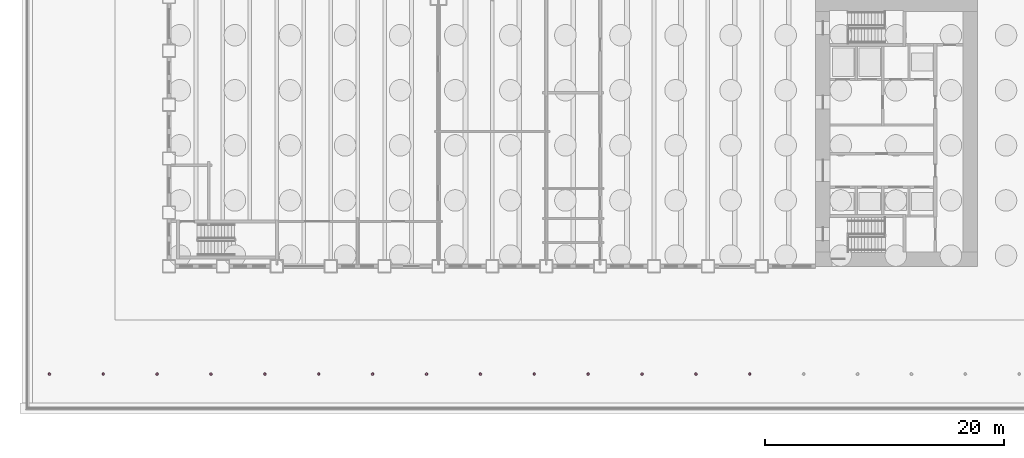
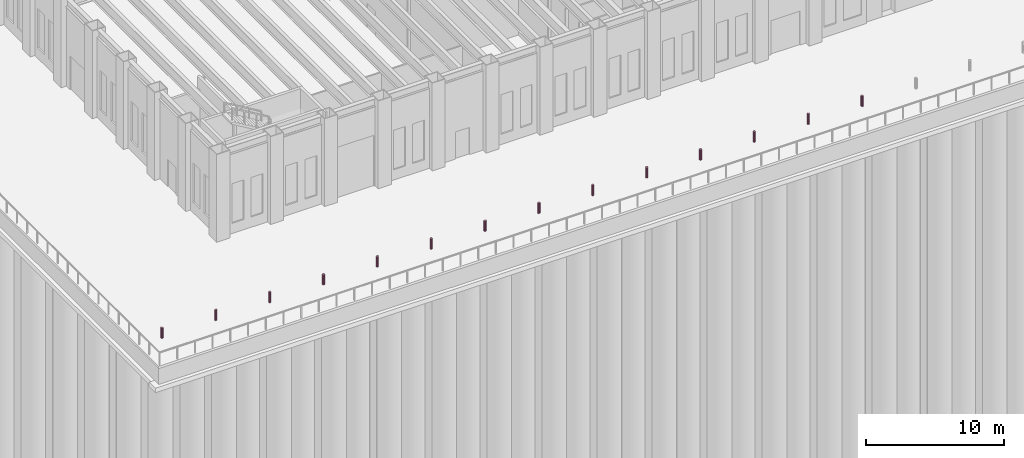
# One storey, part 24 of 26: 14 furniture elements.
"""IFC4 building model written with IfcOpenShell, lengths in metres."""

from ifc_helpers import new_model, si_unit, direction, frame, origin, origin_2d, place, context, subcontext, project, spatial, circle, extrude, material, type_object, element, save


model = new_model("IFC4")

# Units and contexts
model_context = context("Model", 3, precision=1e-05, world=origin(), true_north=direction((0.0, 1.0)))
body_context = subcontext(model_context, "Body", "Model", "MODEL_VIEW")
ifc_project = project(units=[si_unit("LENGTHUNIT", "METRE"), si_unit("AREAUNIT", "SQUARE_METRE"), si_unit("VOLUMEUNIT", "CUBIC_METRE"), si_unit("PLANEANGLEUNIT", "RADIAN"), si_unit("MASSUNIT", "GRAM", prefix="KILO")], contexts=[model_context])

# Site, building, storey
site_placement = place(None, origin())
site = spatial("IfcSite", under=ifc_project, at=site_placement, CompositionType="ELEMENT")
building_placement = place(site_placement, origin())
building = spatial("IfcBuilding", under=site, at=building_placement, Name="Sennacour Bend Tower", CompositionType="ELEMENT")
storey_placement = place(building_placement, origin())
storey = spatial("IfcBuildingStorey", under=building, at=storey_placement, Name="L00", CompositionType="ELEMENT", Elevation=0.0)

# Furniture
ifc_material = material(Name="Stainless steel 316", Category="steel")
furniture_type = type_object("IfcFurnitureType", Name="BL-BOLLARD-200", AssemblyPlace="NOTDEFINED", PredefinedType="USERDEFINED", material=ifc_material)
for number, where, z_axis, x_axis, name in (
    (1, (-10.0, -9.0, 0.89990234375), (0.0, 0.0, -1.0), (1.0, 0.0, 0.0), "Bollard"),
    (2, (-5.5, -9.0, 0.89990234375), (0.0, 0.0, -1.0), (1.0, 0.0, 0.0), "Bollard"),
    (3, (-1.0, -9.0, 0.89990234375), (0.0, 0.0, -1.0), (1.0, 0.0, 0.0), "Bollard"),
    (4, (3.5, -9.0, 0.89990234375), (0.0, 0.0, -1.0), (1.0, 0.0, 0.0), "Bollard"),
    (5, (8.0, -9.0, 0.89990234375), (0.0, 0.0, -1.0), (1.0, 0.0, 0.0), "Bollard"),
    (6, (12.5, -9.0, 0.89990234375), (0.0, 0.0, -1.0), (1.0, 0.0, 0.0), "Bollard"),
    (7, (17.0, -9.0, 0.89990234375), (0.0, 0.0, -1.0), (1.0, 0.0, 0.0), "Bollard"),
    (8, (21.5, -9.0, 0.89990234375), (0.0, 0.0, -1.0), (1.0, 0.0, 0.0), "Bollard"),
    (9, (26.0, -9.0, 0.89990234375), (0.0, 0.0, -1.0), (1.0, 0.0, 0.0), "Bollard"),
    (10, (30.5, -9.0, 0.89990234375), (0.0, 0.0, -1.0), (1.0, 0.0, 0.0), "Bollard"),
    (11, (35.0, -9.0, 0.89990234375), (0.0, 0.0, -1.0), (1.0, 0.0, 0.0), "Bollard"),
    (12, (39.5, -9.0, 0.89990234375), (0.0, 0.0, -1.0), (1.0, 0.0, 0.0), "Bollard"),
    (13, (44.0, -9.0, 0.89990234375), (0.0, 0.0, -1.0), (1.0, 0.0, 0.0), "Bollard"),
    (14, (48.5, -9.0, 0.89990234375), (0.0, 0.0, -1.0), (1.0, 0.0, 0.0), "Bollard"),
):
    element("IfcFurniture", number, at=place(storey_placement, frame(where, z_axis=z_axis, x_axis=x_axis)), inside=storey, type_object=furniture_type, Name=name, ObjectType="BOLLARD", PredefinedType="USERDEFINED", context=body_context, shape_type="SweptSolid", body=[
        extrude(circle(Radius=0.10009765625, at=origin_2d()), origin(), (0.0, 0.0, 1.0), 0.89990234375),
    ])

save(model, "model.ifc")
